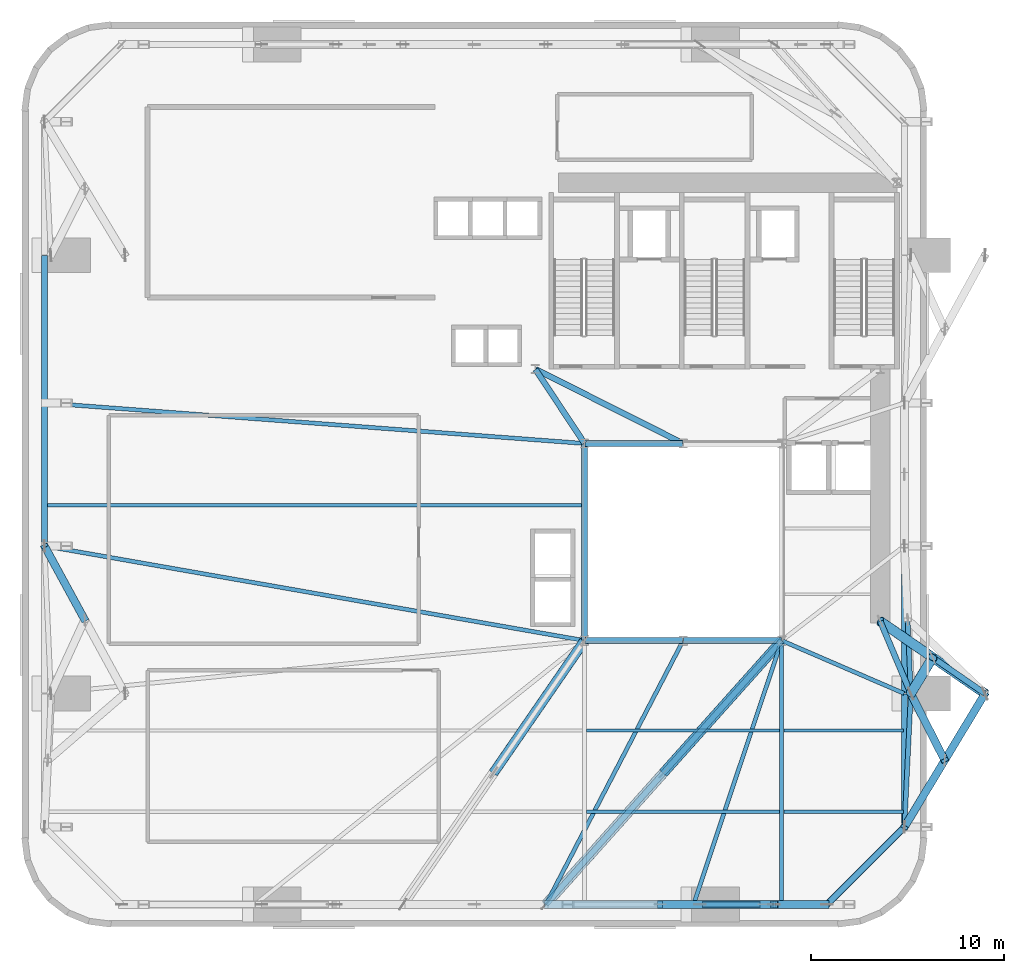
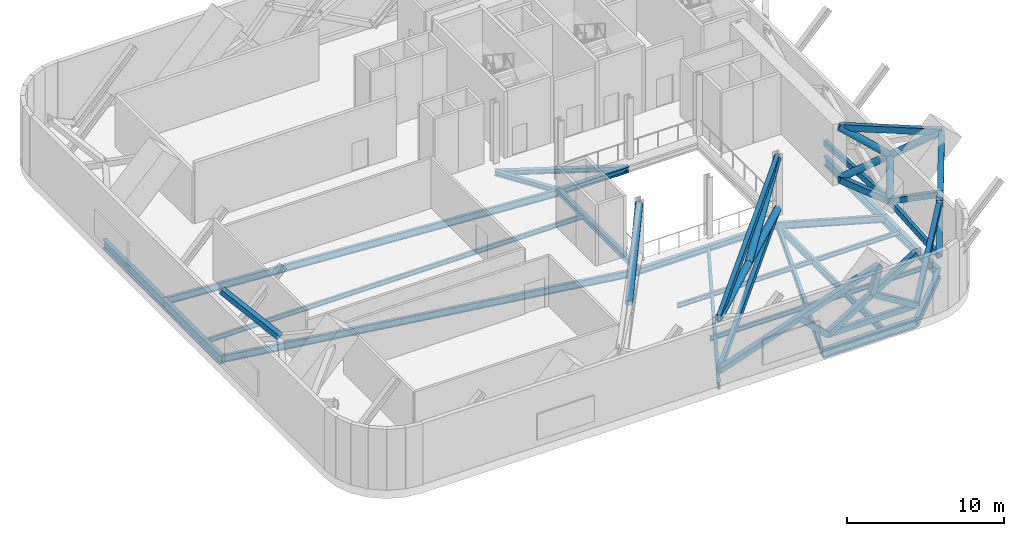
# One storey, part 2 of 12: 23 beams, 23 members.
"""IFC4 building model written with IfcOpenShell, lengths in metres."""

from ifc_helpers import new_model, si_unit, direction, frame, origin, origin_2d, place, context, subcontext, project, spatial, hollow_rectangle, hollow_circle, i_section, extrude, source, transform, mapped, material, material_profile, profile_set, type_object, element, save


model = new_model("IFC4")

# Units and contexts
model_context = context("Model", 3, precision=1e-05, world=origin(), true_north=direction((0.0, 1.0)))
body_context = subcontext(model_context, "Body", "Model", "MODEL_VIEW")
ifc_project = project(units=[si_unit("LENGTHUNIT", "METRE"), si_unit("AREAUNIT", "SQUARE_METRE"), si_unit("VOLUMEUNIT", "CUBIC_METRE"), si_unit("PLANEANGLEUNIT", "RADIAN"), si_unit("MASSUNIT", "GRAM", prefix="KILO")], contexts=[model_context])

# Site, building, storey
site_placement = place(None, origin())
site = spatial("IfcSite", under=ifc_project, at=site_placement, CompositionType="ELEMENT")
building_placement = place(site_placement, origin())
building = spatial("IfcBuilding", under=site, at=building_placement, Name="Vardaveli Station Tower", CompositionType="ELEMENT")
storey_placement = place(building_placement, frame((0.0, 0.0, 93.300048828125)))
storey = spatial("IfcBuildingStorey", under=building, at=storey_placement, Name="L24", CompositionType="ELEMENT", Elevation=93.300048828125)

# Beams
ifc_material_1 = material(Name="Structural steel S355J2", Category="steel")
ifc_material_profile_1 = material_profile(ifc_material_1, i_section(OverallWidth=0.300048828125, OverallDepth=0.449951171875, WebThickness=0.013916015625, FlangeThickness=0.02587890625, FilletRadius=0.027099609375, at=origin_2d()), Name="HEB 450")
ifc_profile_set_1 = profile_set([ifc_material_profile_1], Name="Structural steel S355J2")
beam_type_1 = type_object("IfcBeamType", Name="BM-HEB450", PredefinedType="BEAM", material=ifc_profile_set_1)
shared_shape_1 = source(origin(), body_context, "Body", "SweptSolid", [
    extrude(i_section(OverallWidth=0.300048828125, OverallDepth=0.449951171875, WebThickness=0.013916015625, FlangeThickness=0.02587890625, FilletRadius=0.027099609375, at=origin_2d()), origin(), (0.0, 0.0, 1.0), 5.06005859375),
])
for number, where, z_axis, x_axis, name in (
    (1, (31.219970703125, 16.60009765625, -0.875), (1.0, 0.0, 0.0), (0.0, 1.0, 0.0), "ABM-L24-01"),
    (2, (36.280029296875, 26.800048828125, -0.875), (-1.0, 0.0, 0.0), (0.0, -1.0, 0.0), "ABM-L24-05"),
):
    element("IfcBeam", number, at=place(storey_placement, frame(where, z_axis=z_axis, x_axis=x_axis)), inside=storey, type_object=beam_type_1, Name=name, PredefinedType="BEAM", context=body_context, shape_type="MappedRepresentation", body=[
        mapped(shared_shape_1, transform((0.0, 0.0, 0.0), scale=1.0)),
    ])
shared_shape_2 = source(origin(), body_context, "Body", "SweptSolid", [
    extrude(i_section(OverallWidth=0.300048828125, OverallDepth=0.449951171875, WebThickness=0.013916015625, FlangeThickness=0.02587890625, FilletRadius=0.027099609375, at=origin_2d()), origin(), (0.0, 0.0, 1.0), 5.059814453125),
])
beam_1_placement = place(storey_placement, frame((36.320068359375, 16.60009765625, -0.875), z_axis=(1.0, 0.0, 0.0), x_axis=(0.0, 1.0, 0.0)))
element("IfcBeam", 3, at=beam_1_placement, inside=storey, type_object=beam_type_1, Name="ABM-L24-02", PredefinedType="BEAM", context=body_context, shape_type="MappedRepresentation", body=[
    mapped(shared_shape_2, transform((0.0, 0.0, 0.0), scale=1.0)),
])
shared_shape_3 = source(origin(), body_context, "Body", "SweptSolid", [
    extrude(i_section(OverallWidth=0.300048828125, OverallDepth=0.449951171875, WebThickness=0.013916015625, FlangeThickness=0.02587890625, FilletRadius=0.027099609375, at=origin_2d()), origin(), (0.0, 0.0, 1.0), 10.159912109375),
])
beam_2_placement = place(storey_placement, frame((31.199951171875, 26.780029296875, -0.875), z_axis=(0.0, -1.0, 0.0), x_axis=(1.0, 0.0, 0.0)))
element("IfcBeam", 4, at=beam_2_placement, inside=storey, type_object=beam_type_1, Name="ABM-L24-06", PredefinedType="BEAM", context=body_context, shape_type="MappedRepresentation", body=[
    mapped(shared_shape_3, transform((0.0, 0.0, 0.0), scale=1.0)),
])
ifc_material_profile_2 = material_profile(ifc_material_1, i_section(OverallWidth=0.300048828125, OverallDepth=0.360107421875, WebThickness=0.012451171875, FlangeThickness=0.0224609375, FilletRadius=0.027099609375, at=origin_2d()), Name="HEB 360")
ifc_profile_set_2 = profile_set([ifc_material_profile_2], Name="Structural steel S355J2")
beam_type_2 = type_object("IfcBeamType", Name="BM-HEB360", PredefinedType="BEAM", material=ifc_profile_set_2)
shared_shape_4 = source(origin(), body_context, "Body", "SweptSolid", [
    extrude(i_section(OverallWidth=0.300048828125, OverallDepth=0.360107421875, WebThickness=0.012451171875, FlangeThickness=0.0224609375, FilletRadius=0.027099609375, at=origin_2d()), origin(), (0.0, 0.0, 1.0), 4.577880859375),
])
beam_3_placement = place(storey_placement, frame((31.18896484375, 26.816650390625, -0.830078125), z_axis=(-0.55218702139, 0.833720272879, 0.0), x_axis=(-0.833720272879, -0.55218702139, 0.0)))
element("IfcBeam", 5, at=beam_3_placement, inside=storey, type_object=beam_type_2, Name="CBM-L24-01", PredefinedType="BEAM", context=body_context, shape_type="MappedRepresentation", body=[
    mapped(shared_shape_4, transform((0.0, 0.0, 0.0), scale=1.0)),
])
shared_shape_5 = source(origin(), body_context, "Body", "SweptSolid", [
    extrude(i_section(OverallWidth=0.300048828125, OverallDepth=0.360107421875, WebThickness=0.012451171875, FlangeThickness=0.0224609375, FilletRadius=0.027099609375, at=origin_2d()), origin(), (0.0, 0.0, 1.0), 8.524169921875),
])
beam_4_placement = place(storey_placement, frame((28.66796875, 30.64111328125, -0.830078125), z_axis=(0.893255584708, -0.449549174605, 0.0), x_axis=(0.449549174605, 0.893255584708, 0.0)))
element("IfcBeam", 6, at=beam_4_placement, inside=storey, type_object=beam_type_2, Name="CBM-L24-03", PredefinedType="BEAM", context=body_context, shape_type="MappedRepresentation", body=[
    mapped(shared_shape_5, transform((0.0, 0.0, 0.0), scale=1.0)),
])
ifc_material_profile_3 = material_profile(ifc_material_1, i_section(OverallWidth=0.2099609375, OverallDepth=0.550048828125, WebThickness=0.010986328125, FlangeThickness=0.01708984375, FilletRadius=0.02392578125, at=origin_2d()), Name="IPE 550")
ifc_profile_set_3 = profile_set([ifc_material_profile_3], Name="Structural steel S355J2")
beam_type_3 = type_object("IfcBeamType", Name="BM-IPE550", PredefinedType="BEAM", material=ifc_profile_set_3)
shared_shape_6 = source(origin(), body_context, "Body", "SweptSolid", [
    extrude(i_section(OverallWidth=0.2099609375, OverallDepth=0.550048828125, WebThickness=0.010986328125, FlangeThickness=0.01708984375, FilletRadius=0.02392578125, at=origin_2d()), origin(), (0.0, 0.0, 1.0), 13.469970703125),
])
beam_5_placement = place(storey_placement, frame((41.39990234375, 2.989990234375, -0.925048828125), z_axis=(0.0, 1.0, 0.0), x_axis=(-1.0, 0.0, 0.0)))
element("IfcBeam", 7, at=beam_5_placement, inside=storey, type_object=beam_type_3, Name="NSM-L24-S2", PredefinedType="BEAM", context=body_context, shape_type="MappedRepresentation", body=[
    mapped(shared_shape_6, transform((0.0, 0.0, 0.0), scale=1.0)),
])
ifc_material_profile_4 = material_profile(ifc_material_1, i_section(OverallWidth=0.169921875, OverallDepth=0.360107421875, WebThickness=0.008056640625, FlangeThickness=0.0126953125, FilletRadius=0.01806640625, at=origin_2d()), Name="IPE 360")
ifc_profile_set_4 = profile_set([ifc_material_profile_4], Name="Structural steel S355J2")
beam_type_4 = type_object("IfcBeamType", Name="BM-IPE360", PredefinedType="JOIST", material=ifc_profile_set_4)
shared_shape_7 = source(origin(), body_context, "Body", "SweptSolid", [
    extrude(i_section(OverallWidth=0.169921875, OverallDepth=0.360107421875, WebThickness=0.008056640625, FlangeThickness=0.0126953125, FilletRadius=0.01806640625, at=origin_2d()), origin(), (0.0, 0.0, 1.0), 27.7978515625),
])
beam_6_placement = place(storey_placement, frame((3.2900390625, 23.60009765625, -0.830078125), z_axis=(1.0, 0.0, 0.0), x_axis=(0.0, 1.0, 0.0)))
element("IfcBeam", 8, at=beam_6_placement, inside=storey, type_object=beam_type_4, Name="SJ-L24-W08", PredefinedType="JOIST", context=body_context, shape_type="MappedRepresentation", body=[
    mapped(shared_shape_7, transform((0.0, 0.0, 0.0), scale=1.0)),
])
shared_shape_8 = source(origin(), body_context, "Body", "SweptSolid", [
    extrude(i_section(OverallWidth=0.169921875, OverallDepth=0.360107421875, WebThickness=0.008056640625, FlangeThickness=0.0126953125, FilletRadius=0.01806640625, at=origin_2d()), origin(), (0.0, 0.0, 1.0), 9.97607421875),
])
for number, where, z_axis, x_axis, name in (
    (9, (31.31201171875, 7.75, -0.830078125), (1.0, 0.0, 0.0), (0.0, 1.0, 0.0), "SJ-L24-S02"),
    (10, (31.31201171875, 11.949951171875, -0.830078125), (1.0, 0.0, 0.0), (0.0, 1.0, 0.0), "SJ-L24-S05"),
):
    element("IfcBeam", number, at=place(storey_placement, frame(where, z_axis=z_axis, x_axis=x_axis)), inside=storey, type_object=beam_type_4, Name=name, PredefinedType="JOIST", context=body_context, shape_type="MappedRepresentation", body=[
        mapped(shared_shape_8, transform((0.0, 0.0, 0.0), scale=1.0)),
    ])
shared_shape_9 = source(origin(), body_context, "Body", "SweptSolid", [
    extrude(i_section(OverallWidth=0.169921875, OverallDepth=0.360107421875, WebThickness=0.008056640625, FlangeThickness=0.0126953125, FilletRadius=0.01806640625, at=origin_2d()), origin(), (0.0, 0.0, 1.0), 6.197998046875),
])
for number, where, z_axis, x_axis, name in (
    (11, (41.511962890625, 7.75, -0.830078125), (1.0, 0.0, 0.0), (0.0, 1.0, 0.0), "SJ-L24-S03"),
    (12, (41.511962890625, 11.949951171875, -0.830078125), (1.0, 0.0, 0.0), (0.0, 1.0, 0.0), "SJ-L24-S06"),
):
    element("IfcBeam", number, at=place(storey_placement, frame(where, z_axis=z_axis, x_axis=x_axis)), inside=storey, type_object=beam_type_4, Name=name, PredefinedType="JOIST", context=body_context, shape_type="MappedRepresentation", body=[
        mapped(shared_shape_9, transform((0.0, 0.0, 0.0), scale=1.0)),
    ])
ifc_material_2 = material(Name="Structural steel S460M", Category="steel")
ifc_material_profile_5 = material_profile(ifc_material_2, i_section(OverallWidth=0.303955078125, OverallDepth=0.716064453125, WebThickness=0.02099609375, FlangeThickness=0.0400390625, FilletRadius=0.027099609375, at=origin_2d()), Name="HEM 700")
ifc_profile_set_5 = profile_set([ifc_material_profile_5], Name="Structural steel S460M")
beam_type_5 = type_object("IfcBeamType", Name="BM-HEM700", PredefinedType="BEAM", material=ifc_profile_set_5)
shared_shape_10 = source(origin(), body_context, "Body", "SweptSolid", [
    extrude(i_section(OverallWidth=0.303955078125, OverallDepth=0.716064453125, WebThickness=0.02099609375, FlangeThickness=0.0400390625, FilletRadius=0.027099609375, at=origin_2d()), origin(), (0.0, 0.0, 1.0), 7.60009765625),
])
for number, where, z_axis, x_axis, name in (
    (13, (47.75, 13.8798828125, -1.008056640625), (0.0, 1.0, 0.0), (-1.0, 0.0, 0.0), "RBM-L24-07"),
    (14, (3.25, 36.52001953125, -1.008056640625), (0.0, -1.0, 0.0), (1.0, 0.0, 0.0), "RBM-L24-19"),
):
    element("IfcBeam", number, at=place(storey_placement, frame(where, z_axis=z_axis, x_axis=x_axis)), inside=storey, type_object=beam_type_5, Name=name, PredefinedType="BEAM", context=body_context, shape_type="MappedRepresentation", body=[
        mapped(shared_shape_10, transform((0.0, 0.0, 0.0), scale=1.0)),
    ])
shared_shape_11 = source(origin(), body_context, "Body", "SweptSolid", [
    extrude(i_section(OverallWidth=0.303955078125, OverallDepth=0.716064453125, WebThickness=0.02099609375, FlangeThickness=0.0400390625, FilletRadius=0.027099609375, at=origin_2d()), origin(), (0.0, 0.0, 1.0), 7.35986328125),
])
beam_7_placement = place(storey_placement, frame((3.25, 28.8798828125, -1.008056640625), z_axis=(0.0, -1.0, 0.0), x_axis=(1.0, 0.0, 0.0)))
element("IfcBeam", 15, at=beam_7_placement, inside=storey, type_object=beam_type_5, Name="RBM-L24-20", PredefinedType="BEAM", context=body_context, shape_type="MappedRepresentation", body=[
    mapped(shared_shape_11, transform((0.0, 0.0, 0.0), scale=1.0)),
])
shared_shape_12 = source(origin(), body_context, "Body", "SweptSolid", [
    extrude(i_section(OverallWidth=0.303955078125, OverallDepth=0.716064453125, WebThickness=0.02099609375, FlangeThickness=0.0400390625, FilletRadius=0.027099609375, at=origin_2d()), origin(), (0.0, 0.0, 1.0), 6.869873046875),
])
beam_8_placement = place(storey_placement, frame((36.860107421875, 2.949951171875, -1.008056640625), z_axis=(1.0, 0.0, 0.0), x_axis=(0.0, 1.0, 0.0)))
element("IfcBeam", 16, at=beam_8_placement, inside=storey, type_object=beam_type_5, Name="RBM-L24-04", PredefinedType="BEAM", context=body_context, shape_type="MappedRepresentation", body=[
    mapped(shared_shape_12, transform((0.0, 0.0, 0.0), scale=1.0)),
])
shared_shape_13 = source(origin(), body_context, "Body", "SweptSolid", [
    extrude(i_section(OverallWidth=0.303955078125, OverallDepth=0.716064453125, WebThickness=0.02099609375, FlangeThickness=0.0400390625, FilletRadius=0.027099609375, at=origin_2d()), origin(), (0.0, 0.0, 1.0), 5.61669921875),
])
beam_9_placement = place(storey_placement, frame((43.76416015625, 2.964111328125, -1.008056640625), z_axis=(0.707106781187, 0.707106781187, 0.0), x_axis=(-0.707106781187, 0.707106781187, 0.0)))
element("IfcBeam", 17, at=beam_9_placement, inside=storey, type_object=beam_type_5, Name="RBM-L24-05", PredefinedType="BEAM", context=body_context, shape_type="MappedRepresentation", body=[
    mapped(shared_shape_13, transform((0.0, 0.0, 0.0), scale=1.0)),
])
shared_shape_14 = source(origin(), body_context, "Body", "SweptSolid", [
    extrude(i_section(OverallWidth=0.303955078125, OverallDepth=0.716064453125, WebThickness=0.02099609375, FlangeThickness=0.0400390625, FilletRadius=0.027099609375, at=origin_2d()), origin(), (0.0, 0.0, 1.0), 6.8701171875),
])
beam_10_placement = place(storey_placement, frame((47.75, 6.969970703125, -1.008056640625), z_axis=(0.0, 1.0, 0.0), x_axis=(-1.0, 0.0, 0.0)))
element("IfcBeam", 18, at=beam_10_placement, inside=storey, type_object=beam_type_5, Name="RBM-L24-06", PredefinedType="BEAM", context=body_context, shape_type="MappedRepresentation", body=[
    mapped(shared_shape_14, transform((0.0, 0.0, 0.0), scale=1.0)),
])
shared_shape_15 = source(origin(), body_context, "Body", "SweptSolid", [
    extrude(i_section(OverallWidth=0.2099609375, OverallDepth=0.550048828125, WebThickness=0.010986328125, FlangeThickness=0.01708984375, FilletRadius=0.02392578125, at=origin_2d()), origin(), (0.0, 0.0, 1.0), 15.34619140625),
])
beam_11_placement = place(storey_placement, frame((29.209228515625, 2.9677734375, -0.925048828125), z_axis=(0.461455420507, 0.887163398075, 0.0), x_axis=(-0.887163398075, 0.461455420507, 0.0)))
element("IfcBeam", 19, at=beam_11_placement, inside=storey, type_object=beam_type_3, Name="GBM-L24-03", PredefinedType="BEAM", context=body_context, shape_type="MappedRepresentation", body=[
    mapped(shared_shape_15, transform((0.0, 0.0, 0.0), scale=1.0)),
])
shared_shape_16 = source(origin(), body_context, "Body", "SweptSolid", [
    extrude(i_section(OverallWidth=0.2099609375, OverallDepth=0.550048828125, WebThickness=0.010986328125, FlangeThickness=0.01708984375, FilletRadius=0.02392578125, at=origin_2d()), origin(), (0.0, 0.0, 1.0), 14.3515625),
])
beam_12_placement = place(storey_placement, frame((36.846435546875, 2.968994140625, -0.925048828125), z_axis=(0.316840115921, 0.948478961782, 0.0), x_axis=(-0.948478961782, 0.316840115921, 0.0)))
element("IfcBeam", 20, at=beam_12_placement, inside=storey, type_object=beam_type_3, Name="GBM-L24-04", PredefinedType="BEAM", context=body_context, shape_type="MappedRepresentation", body=[
    mapped(shared_shape_16, transform((0.0, 0.0, 0.0), scale=1.0)),
])
shared_shape_17 = source(origin(), body_context, "Body", "SweptSolid", [
    extrude(i_section(OverallWidth=0.2099609375, OverallDepth=0.550048828125, WebThickness=0.010986328125, FlangeThickness=0.01708984375, FilletRadius=0.02392578125, at=origin_2d()), origin(), (0.0, 0.0, 1.0), 6.8759765625),
])
beam_13_placement = place(storey_placement, frame((47.731689453125, 13.867919921875, -0.925048828125), z_axis=(-0.918170694621, 0.396185026899, 0.0), x_axis=(-0.396185026899, -0.918170694621, 0.0)))
element("IfcBeam", 21, at=beam_13_placement, inside=storey, type_object=beam_type_3, Name="GBM-L24-05", PredefinedType="BEAM", context=body_context, shape_type="MappedRepresentation", body=[
    mapped(shared_shape_17, transform((0.0, 0.0, 0.0), scale=1.0)),
])
shared_shape_18 = source(origin(), body_context, "Body", "SweptSolid", [
    extrude(i_section(OverallWidth=0.2099609375, OverallDepth=0.550048828125, WebThickness=0.010986328125, FlangeThickness=0.01708984375, FilletRadius=0.02392578125, at=origin_2d()), origin(), (0.0, 0.0, 1.0), 27.98876953125),
])
beam_14_placement = place(storey_placement, frame((3.27001953125, 28.8984375, -0.925048828125), z_axis=(0.99718954315, -0.074920057611, 0.0), x_axis=(0.074920057611, 0.99718954315, 0.0)))
element("IfcBeam", 22, at=beam_14_placement, inside=storey, type_object=beam_type_3, Name="GBM-L24-08", PredefinedType="BEAM", context=body_context, shape_type="MappedRepresentation", body=[
    mapped(shared_shape_18, transform((0.0, 0.0, 0.0), scale=1.0)),
])
shared_shape_19 = source(origin(), body_context, "Body", "SweptSolid", [
    extrude(i_section(OverallWidth=0.2099609375, OverallDepth=0.550048828125, WebThickness=0.010986328125, FlangeThickness=0.01708984375, FilletRadius=0.02392578125, at=origin_2d()), origin(), (0.0, 0.0, 1.0), 28.33642578125),
])
beam_15_placement = place(storey_placement, frame((3.269775390625, 21.49658203125, -0.925048828125), z_axis=(0.984978267336, -0.172678350921, 0.0), x_axis=(0.172678350921, 0.984978267336, 0.0)))
element("IfcBeam", 23, at=beam_15_placement, inside=storey, type_object=beam_type_3, Name="GBM-L24-09", PredefinedType="BEAM", context=body_context, shape_type="MappedRepresentation", body=[
    mapped(shared_shape_19, transform((0.0, 0.0, 0.0), scale=1.0)),
])

# Members
ifc_material_profile_6 = material_profile(ifc_material_2, hollow_circle(Radius=0.25390625, WallThickness=0.02490234375, at=origin_2d()), Name="CHS 508x25")
ifc_profile_set_6 = profile_set([ifc_material_profile_6], Name="Structural steel S460M")
member_type_1 = type_object("IfcMemberType", Name="MEM-BR-CHS508", PredefinedType="BRACE", material=ifc_profile_set_6)
shared_shape_20 = source(origin(), body_context, "Body", "SweptSolid", [
    extrude(hollow_circle(Radius=0.25390625, WallThickness=0.02490234375, at=origin_2d()), origin(), (0.0, 0.0, 1.0), 8.53076171875),
])
member_1_placement = place(storey_placement, frame((26.5, 9.77490234375, 2.375), z_axis=(0.550944716994, 0.800073269352, 0.237366135928), x_axis=(-0.82361188458, 0.567153827087, 0.0)))
element("IfcMember", 24, at=member_1_placement, inside=storey, type_object=member_type_1, Name="OUT-L24-OA1-D2B", PredefinedType="BRACE", context=body_context, shape_type="MappedRepresentation", body=[
    mapped(shared_shape_20, transform((0.0, 0.0, 0.0), scale=1.0)),
])
ifc_material_profile_7 = material_profile(ifc_material_2, hollow_rectangle(XDim=0.300048828125, YDim=0.5, WallThickness=0.02001953125, at=origin_2d()), Name="RHS 500x300x20")
ifc_profile_set_7 = profile_set([ifc_material_profile_7], Name="Structural steel S460M")
member_type_2 = type_object("IfcMemberType", Name="MEM-CH-RHS500", PredefinedType="CHORD", material=ifc_profile_set_7)
shared_shape_21 = source(origin(), body_context, "Body", "SweptSolid", [
    extrude(hollow_rectangle(XDim=0.300048828125, YDim=0.5, WallThickness=0.02001953125, at=origin_2d()), origin(), (0.0, 0.0, 1.0), 18.3076171875),
])
for number, where, z_axis, x_axis, name in (
    (25, (41.39990234375, 16.60009765625, 0.349853515625), (-0.666390140468, -0.74560323275, 0.0), (0.74560323275, -0.666390140468, 0.0), "OUT-L24-OA2-CHB"),
    (26, (41.39990234375, 16.60009765625, 4.39990234375), (-0.666390140468, -0.74560323275, 0.0), (0.74560323275, -0.666390140468, 0.0), "OUT-L24-OA2-CHT"),
):
    element("IfcMember", number, at=place(storey_placement, frame(where, z_axis=z_axis, x_axis=x_axis)), inside=storey, type_object=member_type_2, Name=name, PredefinedType="CHORD", context=body_context, shape_type="MappedRepresentation", body=[
        mapped(shared_shape_21, transform((0.0, 0.0, 0.0), scale=1.0)),
    ])
shared_shape_22 = source(origin(), body_context, "Body", "SweptSolid", [
    extrude(hollow_circle(Radius=0.25390625, WallThickness=0.02490234375, at=origin_2d()), origin(), (0.0, 0.0, 1.0), 18.750244140625),
])
member_2_placement = place(storey_placement, frame((41.39990234375, 16.60009765625, 0.349853515625), z_axis=(-0.650658784931, -0.728001907592, 0.216000852159), x_axis=(0.74560323275, -0.666390140468, 0.0)))
element("IfcMember", 27, at=member_2_placement, inside=storey, type_object=member_type_1, Name="OUT-L24-OA2-D1", PredefinedType="BRACE", context=body_context, shape_type="MappedRepresentation", body=[
    mapped(shared_shape_22, transform((0.0, 0.0, 0.0), scale=1.0)),
])
shared_shape_23 = source(origin(), body_context, "Body", "SweptSolid", [
    extrude(hollow_circle(Radius=0.25390625, WallThickness=0.02490234375, at=origin_2d()), origin(), (0.0, 0.0, 1.0), 9.375),
])
member_3_placement = place(storey_placement, frame((35.300048828125, 9.77490234375, 2.375), z_axis=(0.650646938733, 0.728016242515, 0.215988221327), x_axis=(-0.745615780524, 0.666376100887, 0.0)))
element("IfcMember", 28, at=member_3_placement, inside=storey, type_object=member_type_1, Name="OUT-L24-OA2-D2B", PredefinedType="BRACE", context=body_context, shape_type="MappedRepresentation", body=[
    mapped(shared_shape_23, transform((0.0, 0.0, 0.0), scale=1.0)),
])
shared_shape_24 = source(origin(), body_context, "Body", "SweptSolid", [
    extrude(hollow_rectangle(XDim=0.300048828125, YDim=0.5, WallThickness=0.02001953125, at=origin_2d()), origin(), (0.0, 0.0, 1.0), 4.060546875),
])
member_4_placement = place(storey_placement, frame((46.5, 17.60009765625, 0.349853515625), z_axis=(0.389481113719, -0.921034452155, 0.0), x_axis=(0.921034452155, 0.389481113719, 0.0)))
element("IfcMember", 29, at=member_4_placement, inside=storey, type_object=member_type_2, Name="OUT-L24-OA3-CHB", PredefinedType="CHORD", context=body_context, shape_type="MappedRepresentation", body=[
    mapped(shared_shape_24, transform((0.0, 0.0, 0.0), scale=1.0)),
])
shared_shape_25 = source(origin(), body_context, "Body", "SweptSolid", [
    extrude(hollow_rectangle(XDim=0.300048828125, YDim=0.5, WallThickness=0.02001953125, at=origin_2d()), origin(), (0.0, 0.0, 1.0), 6.583740234375),
])
member_5_placement = place(storey_placement, frame((46.5, 17.60009765625, 4.39990234375), z_axis=(0.822991009899, -0.568054396713, 0.0), x_axis=(0.568054396713, 0.822991009899, 0.0)))
element("IfcMember", 30, at=member_5_placement, inside=storey, type_object=member_type_2, Name="OUT-L24-OA3-CHT", PredefinedType="CHORD", context=body_context, shape_type="MappedRepresentation", body=[
    mapped(shared_shape_25, transform((0.0, 0.0, 0.0), scale=1.0)),
])
shared_shape_26 = source(origin(), body_context, "Body", "SweptSolid", [
    extrude(hollow_circle(Radius=0.25390625, WallThickness=0.02490234375, at=origin_2d()), origin(), (0.0, 0.0, 1.0), 7.729736328125),
])
member_6_placement = place(storey_placement, frame((46.5, 17.60009765625, 0.349853515625), z_axis=(0.70098111665, -0.483839313596, 0.52395132667), x_axis=(0.568054396713, 0.822991009899, 0.0)))
element("IfcMember", 31, at=member_6_placement, inside=storey, type_object=member_type_1, Name="OUT-L24-OA3-D1", PredefinedType="BRACE", context=body_context, shape_type="MappedRepresentation", body=[
    mapped(shared_shape_26, transform((0.0, 0.0, 0.0), scale=1.0)),
])
shared_shape_27 = source(origin(), body_context, "Body", "SweptSolid", [
    extrude(hollow_circle(Radius=0.25390625, WallThickness=0.02490234375, at=origin_2d()), origin(), (0.0, 0.0, 1.0), 2.97802734375),
])
member_7_placement = place(storey_placement, frame((48.08154296875, 13.860107421875, 0.349853515625), z_axis=(0.378654303037, 0.627866054765, 0.680003776508), x_axis=(-0.856326626936, 0.516434611544, 0.0)))
element("IfcMember", 32, at=member_7_placement, inside=storey, type_object=member_type_1, Name="OUT-L24-OA3-D2A", PredefinedType="BRACE", context=body_context, shape_type="MappedRepresentation", body=[
    mapped(shared_shape_27, transform((0.0, 0.0, 0.0), scale=1.0)),
])
shared_shape_28 = source(origin(), body_context, "Body", "SweptSolid", [
    extrude(hollow_circle(Radius=0.25390625, WallThickness=0.02490234375, at=origin_2d()), origin(), (0.0, 0.0, 1.0), 3.864990234375),
])
member_8_placement = place(storey_placement, frame((49.209228515625, 15.72998046875, 2.375), z_axis=(-0.700982004031, 0.483871510397, 0.523920405644), x_axis=(-0.568079511874, -0.822973674056, 0.0)))
element("IfcMember", 33, at=member_8_placement, inside=storey, type_object=member_type_1, Name="OUT-L24-OA3-D2B", PredefinedType="BRACE", context=body_context, shape_type="MappedRepresentation", body=[
    mapped(shared_shape_28, transform((0.0, 0.0, 0.0), scale=1.0)),
])
ifc_material_profile_8 = material_profile(ifc_material_2, hollow_rectangle(XDim=0.39990234375, YDim=0.39990234375, WallThickness=0.02001953125, at=origin_2d()), Name="RHS 400x400x20")
ifc_profile_set_8 = profile_set([ifc_material_profile_8], Name="Structural steel S460M")
member_type_3 = type_object("IfcMemberType", Name="MEM-BR-RHS400", PredefinedType="BRACE", material=ifc_profile_set_8)
shared_shape_29 = source(origin(), body_context, "Body", "SweptSolid", [
    extrude(hollow_rectangle(XDim=0.39990234375, YDim=0.39990234375, WallThickness=0.02001953125, at=origin_2d()), origin(), (0.0, 0.0, 1.0), 12.483642578125),
])
member_9_placement = place(storey_placement, frame((29.199951171875, 2.949951171875, 0.349853515625), z_axis=(0.945909769038, 0.0, 0.32442982113), x_axis=(0.0, 1.0, 0.0)))
element("IfcMember", 34, at=member_9_placement, inside=storey, type_object=member_type_3, Name="BLT-L24-D1-03", PredefinedType="BRACE", context=body_context, shape_type="MappedRepresentation", body=[
    mapped(shared_shape_29, transform((0.0, 0.0, 0.0), scale=1.0)),
])
shared_shape_30 = source(origin(), body_context, "Body", "SweptSolid", [
    extrude(hollow_rectangle(XDim=0.39990234375, YDim=0.39990234375, WallThickness=0.02001953125, at=origin_2d()), origin(), (0.0, 0.0, 1.0), 2.89404296875),
])
member_10_placement = place(storey_placement, frame((37.171630859375, 2.949951171875, 0.349853515625), z_axis=(-0.714366327095, 0.0, 0.69977192764), x_axis=(0.0, -1.0, 0.0)))
element("IfcMember", 35, at=member_10_placement, inside=storey, type_object=member_type_3, Name="BLT-L24-D2A-03", PredefinedType="BRACE", context=body_context, shape_type="MappedRepresentation", body=[
    mapped(shared_shape_30, transform((0.0, 0.0, 0.0), scale=1.0)),
])
ifc_material_profile_9 = material_profile(ifc_material_2, hollow_rectangle(XDim=0.25, YDim=0.449951171875, WallThickness=0.01611328125, at=origin_2d()), Name="RHS 450x250x16")
ifc_profile_set_9 = profile_set([ifc_material_profile_9], Name="Structural steel S460M")
member_type_4 = type_object("IfcMemberType", Name="MEM-CH-RHS450", PredefinedType="CHORD", material=ifc_profile_set_9)
shared_shape_31 = source(origin(), body_context, "Body", "SweptSolid", [
    extrude(hollow_rectangle(XDim=0.25, YDim=0.449951171875, WallThickness=0.01611328125, at=origin_2d()), origin(), (0.0, 0.0, 1.0), 6.578369140625),
])
member_11_placement = place(storey_placement, frame((37.171630859375, 2.949951171875, 0.349853515625), z_axis=(1.0, 0.0, 0.0), x_axis=(0.0, 1.0, 0.0)))
element("IfcMember", 36, at=member_11_placement, inside=storey, type_object=member_type_4, Name="BLT-L24-CH-04", PredefinedType="CHORD", context=body_context, shape_type="MappedRepresentation", body=[
    mapped(shared_shape_31, transform((0.0, 0.0, 0.0), scale=1.0)),
])
shared_shape_32 = source(origin(), body_context, "Body", "SweptSolid", [
    extrude(hollow_rectangle(XDim=0.39990234375, YDim=0.39990234375, WallThickness=0.02001953125, at=origin_2d()), origin(), (0.0, 0.0, 1.0), 7.72509765625),
])
member_12_placement = place(storey_placement, frame((37.171630859375, 2.949951171875, 0.349853515625), z_axis=(0.851553045358, 0.0, 0.524268453125), x_axis=(0.0, 1.0, 0.0)))
element("IfcMember", 37, at=member_12_placement, inside=storey, type_object=member_type_3, Name="BLT-L24-D1-04", PredefinedType="BRACE", context=body_context, shape_type="MappedRepresentation", body=[
    mapped(shared_shape_32, transform((0.0, 0.0, 0.0), scale=1.0)),
])
shared_shape_33 = source(origin(), body_context, "Body", "SweptSolid", [
    extrude(hollow_rectangle(XDim=0.39990234375, YDim=0.39990234375, WallThickness=0.02001953125, at=origin_2d()), origin(), (0.0, 0.0, 1.0), 3.86279296875),
])
member_13_placement = place(storey_placement, frame((43.75, 2.949951171875, 0.349853515625), z_axis=(-0.851547622883, 0.0, 0.524277260581), x_axis=(0.0, -1.0, 0.0)))
element("IfcMember", 38, at=member_13_placement, inside=storey, type_object=member_type_3, Name="BLT-L24-D2A-04", PredefinedType="BRACE", context=body_context, shape_type="MappedRepresentation", body=[
    mapped(shared_shape_33, transform((0.0, 0.0, 0.0), scale=1.0)),
])
shared_shape_34 = source(origin(), body_context, "Body", "SweptSolid", [
    extrude(hollow_rectangle(XDim=0.39990234375, YDim=0.39990234375, WallThickness=0.02001953125, at=origin_2d()), origin(), (0.0, 0.0, 1.0), 2.09765625),
])
member_14_placement = place(storey_placement, frame((40.460693359375, 2.949951171875, 2.375), z_axis=(0.261058528046, 0.0, 0.965322974416), x_axis=(0.0, 1.0, 0.0)))
element("IfcMember", 39, at=member_14_placement, inside=storey, type_object=member_type_3, Name="BLT-L24-D2B-04", PredefinedType="BRACE", context=body_context, shape_type="MappedRepresentation", body=[
    mapped(shared_shape_34, transform((0.0, 0.0, 0.0), scale=1.0)),
])
shared_shape_35 = source(origin(), body_context, "Body", "SweptSolid", [
    extrude(hollow_rectangle(XDim=0.25, YDim=0.449951171875, WallThickness=0.01611328125, at=origin_2d()), origin(), (0.0, 0.0, 1.0), 6.918212890625),
])
member_15_placement = place(storey_placement, frame((47.75, 6.949951171875, 0.349853515625), z_axis=(0.047923955643, 0.998850987122, 0.0), x_axis=(-0.998850987122, 0.047923955643, 0.0)))
element("IfcMember", 40, at=member_15_placement, inside=storey, type_object=member_type_4, Name="BLT-L24-CH-05", PredefinedType="CHORD", context=body_context, shape_type="MappedRepresentation", body=[
    mapped(shared_shape_35, transform((0.0, 0.0, 0.0), scale=1.0)),
])
shared_shape_36 = source(origin(), body_context, "Body", "SweptSolid", [
    extrude(hollow_rectangle(XDim=0.39990234375, YDim=0.39990234375, WallThickness=0.02001953125, at=origin_2d()), origin(), (0.0, 0.0, 1.0), 9.029296875),
])
member_16_placement = place(storey_placement, frame((47.75, 6.949951171875, 0.349853515625), z_axis=(0.461656301729, 0.765299283363, 0.448542602166), x_axis=(-0.856267946207, 0.516531900563, 0.0)))
element("IfcMember", 41, at=member_16_placement, inside=storey, type_object=member_type_3, Name="BLT-L24-D1-05", PredefinedType="BRACE", context=body_context, shape_type="MappedRepresentation", body=[
    mapped(shared_shape_36, transform((0.0, 0.0, 0.0), scale=1.0)),
])
shared_shape_37 = source(origin(), body_context, "Body", "SweptSolid", [
    extrude(hollow_rectangle(XDim=0.39990234375, YDim=0.39990234375, WallThickness=0.02001953125, at=origin_2d()), origin(), (0.0, 0.0, 1.0), 4.37158203125),
])
member_17_placement = place(storey_placement, frame((48.08154296875, 13.860107421875, 0.349853515625), z_axis=(0.400927479956, -0.790350424341, 0.463253022181), x_axis=(0.89181581989, 0.452398655384, 0.0)))
element("IfcMember", 42, at=member_17_placement, inside=storey, type_object=member_type_3, Name="BLT-L24-D2A-05", PredefinedType="BRACE", context=body_context, shape_type="MappedRepresentation", body=[
    mapped(shared_shape_37, transform((0.0, 0.0, 0.0), scale=1.0)),
])
shared_shape_38 = source(origin(), body_context, "Body", "SweptSolid", [
    extrude(hollow_rectangle(XDim=0.39990234375, YDim=0.39990234375, WallThickness=0.02001953125, at=origin_2d()), origin(), (0.0, 0.0, 1.0), 4.5146484375),
])
member_18_placement = place(storey_placement, frame((49.834228515625, 10.405029296875, 2.375), z_axis=(-0.461661900604, -0.765308564759, 0.448521003117), x_axis=(0.856267946207, -0.516531900563, 0.0)))
element("IfcMember", 43, at=member_18_placement, inside=storey, type_object=member_type_3, Name="BLT-L24-D2B-05", PredefinedType="BRACE", context=body_context, shape_type="MappedRepresentation", body=[
    mapped(shared_shape_38, transform((0.0, 0.0, 0.0), scale=1.0)),
])
shared_shape_39 = source(origin(), body_context, "Body", "SweptSolid", [
    extrude(hollow_rectangle(XDim=0.25, YDim=0.449951171875, WallThickness=0.01611328125, at=origin_2d()), origin(), (0.0, 0.0, 1.0), 7.64697265625),
])
member_19_placement = place(storey_placement, frame((48.08154296875, 13.860107421875, 0.349853515625), z_axis=(-0.043355481573, 0.999059709035, 0.0), x_axis=(-0.999059709035, -0.043355481573, 0.0)))
element("IfcMember", 44, at=member_19_placement, inside=storey, type_object=member_type_4, Name="BLT-L24-CH-06", PredefinedType="CHORD", context=body_context, shape_type="MappedRepresentation", body=[
    mapped(shared_shape_39, transform((0.0, 0.0, 0.0), scale=1.0)),
])
shared_shape_40 = source(origin(), body_context, "Body", "SweptSolid", [
    extrude(hollow_rectangle(XDim=0.39990234375, YDim=0.39990234375, WallThickness=0.02001953125, at=origin_2d()), origin(), (0.0, 0.0, 1.0), 4.7998046875),
])
member_20_placement = place(storey_placement, frame((5.334228515625, 17.679931640625, 2.375), z_axis=(-0.434241035419, 0.795896624247, 0.421880654535), x_axis=(-0.877841965924, -0.478950397079, 0.0)))
element("IfcMember", 45, at=member_20_placement, inside=storey, type_object=member_type_3, Name="BLT-L24-D2B-14", PredefinedType="BRACE", context=body_context, shape_type="MappedRepresentation", body=[
    mapped(shared_shape_40, transform((0.0, 0.0, 0.0), scale=1.0)),
])
ifc_material_profile_10 = material_profile(ifc_material_2, hollow_rectangle(XDim=0.35009765625, YDim=0.35009765625, WallThickness=0.01611328125, at=origin_2d()), Name="RHS 350x350x16")
ifc_profile_set_10 = profile_set([ifc_material_profile_10], Name="Structural steel S460M")
member_type_5 = type_object("IfcMemberType", Name="MEM-ST-RHS350", PredefinedType="STRUT", material=ifc_profile_set_10)
shared_shape_41 = source(origin(), body_context, "Body", "SweptSolid", [
    extrude(hollow_rectangle(XDim=0.35009765625, YDim=0.35009765625, WallThickness=0.01611328125, at=origin_2d()), origin(), (0.0, 0.0, 1.0), 6.957275390625),
])
member_21_placement = place(storey_placement, frame((43.75, 2.949951171875, 0.349853515625), z_axis=(0.574942376987, 0.574942376987, 0.582136175039), x_axis=(-0.707106781187, 0.707106781187, 0.0)))
element("IfcMember", 46, at=member_21_placement, inside=storey, type_object=member_type_5, Name="STRUT-L24-2", PredefinedType="STRUT", context=body_context, shape_type="MappedRepresentation", body=[
    mapped(shared_shape_41, transform((0.0, 0.0, 0.0), scale=1.0)),
])

save(model, "model.ifc")
